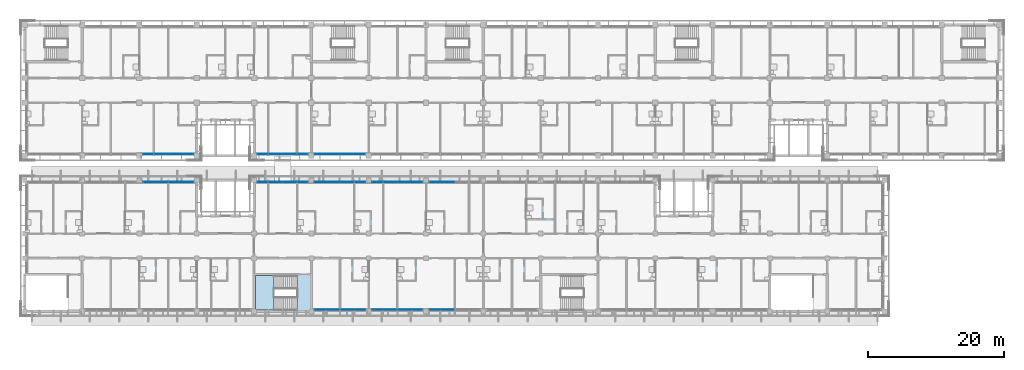
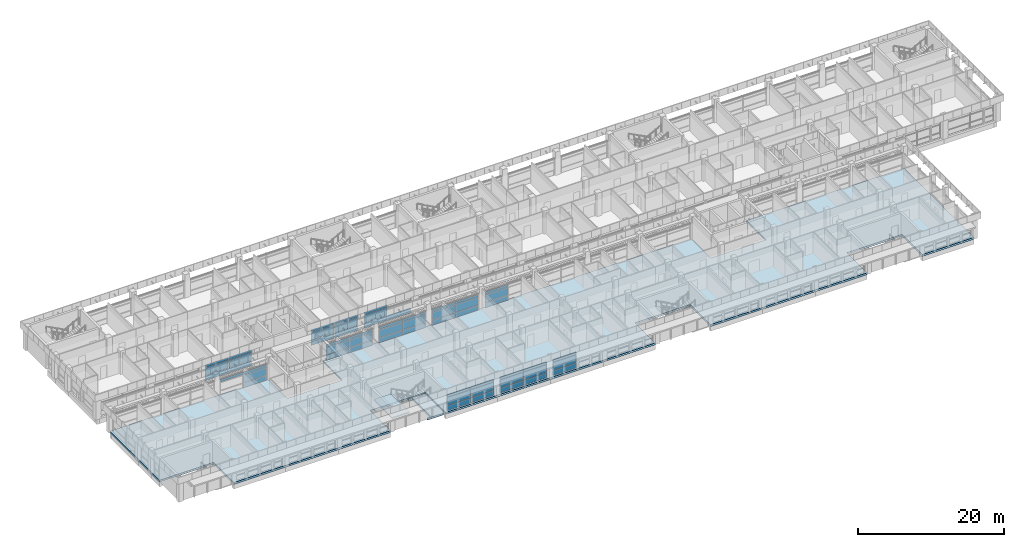
# One storey, part 21 of 71: 56 plates, 3 slabs, 12 elements without a shape of their own.
"""IFC4 building model written with IfcOpenShell, lengths in metres."""

from ifc_helpers import new_model, si_unit, direction, frame, origin, origin_2d, place, context, subcontext, project, spatial, polyline, rectangle, outline, extrude, material, layer, layer_set, type_object, element, aggregate, save


model = new_model("IFC4")

# Units and contexts
model_context = context("Model", 3, precision=1e-05, world=origin(), true_north=direction((0.0, 1.0)))
body_context = subcontext(model_context, "Body", "Model", "MODEL_VIEW")
ifc_project = project(units=[si_unit("LENGTHUNIT", "METRE"), si_unit("AREAUNIT", "SQUARE_METRE"), si_unit("VOLUMEUNIT", "CUBIC_METRE"), si_unit("PLANEANGLEUNIT", "RADIAN"), si_unit("MASSUNIT", "GRAM", prefix="KILO")], contexts=[model_context])

# Site, building, storey
site_placement = place(None, origin())
site = spatial("IfcSite", under=ifc_project, at=site_placement, CompositionType="ELEMENT")
building_placement = place(site_placement, origin())
building = spatial("IfcBuilding", under=site, at=building_placement, Name="Bougainvillea Quay General Hospital", CompositionType="ELEMENT")
storey_placement = place(building_placement, frame((0.0, 0.0, 24.89990234375)))
storey = spatial("IfcBuildingStorey", under=building, at=storey_placement, Name="L05", CompositionType="ELEMENT", Elevation=24.89990234375)

# Curtain wall, plates
ifc_material_1 = material(Name="Aluminium curtain wall system, powder-coated glazed", Category="aluminium")
curtain_wall_type = type_object("IfcCurtainWallType", Name="Unitised curtain wall CW-3730", PredefinedType="NOTDEFINED", material=ifc_material_1)
curtain_wall_1_placement = place(storey_placement, origin())
curtain_wall_1 = element("IfcCurtainWall", 1, at=curtain_wall_1_placement, inside=storey, type_object=curtain_wall_type, Name="CW-4200 02", PredefinedType="NOTDEFINED")
ifc_material_2 = material(Name="Insulated aluminium spandrel panel, white", Category="aluminium")
ifc_layer_1 = layer(ifc_material_2, 0.028076171875)
ifc_layer_set_1 = layer_set([ifc_layer_1], Name="Insulated aluminium spandrel panel, white")
plate_type_1 = type_object("IfcPlateType", Name="Insulated spandrel panel white 28", PredefinedType="CURTAIN_PANEL", material=ifc_layer_set_1)
plate_1_placement = place(storey_placement, frame((61.14990234375, 140.64990234375, 0.06005859375), z_axis=(0.0, 0.0, 1.0), x_axis=(1.0, 0.0, 0.0)))
plate_1 = element("IfcPlate", 2, at=plate_1_placement, type_object=plate_type_1, Name="CW-4200 spandrel panel 1.1", PredefinedType="CURTAIN_PANEL", context=body_context, shape_type="SweptSolid", body=[
    extrude(rectangle(XDim=3.639892578125, YDim=0.028076171875, at=origin_2d()), origin(), (0.0, 0.0, 1.0), 0.81005859375),
])
plate_2_placement = place(storey_placement, frame((61.14990234375, 140.64990234375, 2.2802734375), z_axis=(0.0, 0.0, 1.0), x_axis=(1.0, 0.0, 0.0)))
plate_2 = element("IfcPlate", 3, at=plate_2_placement, type_object=plate_type_1, Name="CW-4200 spandrel panel 1.3", PredefinedType="CURTAIN_PANEL", context=body_context, shape_type="SweptSolid", body=[
    extrude(rectangle(XDim=3.639892578125, YDim=0.028076171875, at=origin_2d()), origin(), (0.0, 0.0, 1.0), 0.409912109375),
])
plate_3_placement = place(storey_placement, frame((64.85009765625, 140.64990234375, 0.06005859375), z_axis=(0.0, 0.0, 1.0), x_axis=(1.0, 0.0, 0.0)))
plate_3 = element("IfcPlate", 4, at=plate_3_placement, type_object=plate_type_1, Name="CW-4200 spandrel panel 2.1", PredefinedType="CURTAIN_PANEL", context=body_context, shape_type="SweptSolid", body=[
    extrude(rectangle(XDim=3.639892578125, YDim=0.028076171875, at=origin_2d()), origin(), (0.0, 0.0, 1.0), 0.81005859375),
])
plate_4_placement = place(storey_placement, frame((64.85009765625, 140.64990234375, 2.2802734375), z_axis=(0.0, 0.0, 1.0), x_axis=(1.0, 0.0, 0.0)))
plate_4 = element("IfcPlate", 5, at=plate_4_placement, type_object=plate_type_1, Name="CW-4200 spandrel panel 2.3", PredefinedType="CURTAIN_PANEL", context=body_context, shape_type="SweptSolid", body=[
    extrude(rectangle(XDim=3.639892578125, YDim=0.028076171875, at=origin_2d()), origin(), (0.0, 0.0, 1.0), 0.409912109375),
])

curtain_wall_2_placement = place(storey_placement, origin())
curtain_wall_2 = element("IfcCurtainWall", 6, at=curtain_wall_2_placement, inside=storey, type_object=curtain_wall_type, Name="CW-4200 00", PredefinedType="NOTDEFINED")
plate_5_placement = place(storey_placement, frame((77.949951171875, 140.64990234375, 0.06005859375), z_axis=(0.0, 0.0, 1.0), x_axis=(1.0, 0.0, 0.0)))
plate_5 = element("IfcPlate", 7, at=plate_5_placement, type_object=plate_type_1, Name="CW-4200 spandrel panel 1.1", PredefinedType="CURTAIN_PANEL", context=body_context, shape_type="SweptSolid", body=[
    extrude(rectangle(XDim=3.639892578125, YDim=0.028076171875, at=origin_2d()), origin(), (0.0, 0.0, 1.0), 0.81005859375),
])
plate_6_placement = place(storey_placement, frame((77.949951171875, 140.64990234375, 2.2802734375), z_axis=(0.0, 0.0, 1.0), x_axis=(1.0, 0.0, 0.0)))
plate_6 = element("IfcPlate", 8, at=plate_6_placement, type_object=plate_type_1, Name="CW-4200 spandrel panel 1.3", PredefinedType="CURTAIN_PANEL", context=body_context, shape_type="SweptSolid", body=[
    extrude(rectangle(XDim=3.639892578125, YDim=0.028076171875, at=origin_2d()), origin(), (0.0, 0.0, 1.0), 0.409912109375),
])
plate_7_placement = place(storey_placement, frame((81.64990234375, 140.64990234375, 0.06005859375), z_axis=(0.0, 0.0, 1.0), x_axis=(1.0, 0.0, 0.0)))
plate_7 = element("IfcPlate", 9, at=plate_7_placement, type_object=plate_type_1, Name="CW-4200 spandrel panel 2.1", PredefinedType="CURTAIN_PANEL", context=body_context, shape_type="SweptSolid", body=[
    extrude(rectangle(XDim=3.639892578125, YDim=0.028076171875, at=origin_2d()), origin(), (0.0, 0.0, 1.0), 0.81005859375),
])
plate_8_placement = place(storey_placement, frame((81.64990234375, 140.64990234375, 2.2802734375), z_axis=(0.0, 0.0, 1.0), x_axis=(1.0, 0.0, 0.0)))
plate_8 = element("IfcPlate", 10, at=plate_8_placement, type_object=plate_type_1, Name="CW-4200 spandrel panel 2.3", PredefinedType="CURTAIN_PANEL", context=body_context, shape_type="SweptSolid", body=[
    extrude(rectangle(XDim=3.639892578125, YDim=0.028076171875, at=origin_2d()), origin(), (0.0, 0.0, 1.0), 0.409912109375),
])

curtain_wall_3_placement = place(storey_placement, origin())
curtain_wall_3 = element("IfcCurtainWall", 11, at=curtain_wall_3_placement, inside=storey, type_object=curtain_wall_type, Name="CW-4200 01", PredefinedType="NOTDEFINED")
plate_9_placement = place(storey_placement, frame((86.35009765625, 140.64990234375, 0.06005859375), z_axis=(0.0, 0.0, 1.0), x_axis=(1.0, 0.0, 0.0)))
plate_9 = element("IfcPlate", 12, at=plate_9_placement, type_object=plate_type_1, Name="CW-4200 spandrel panel 1.1", PredefinedType="CURTAIN_PANEL", context=body_context, shape_type="SweptSolid", body=[
    extrude(rectangle(XDim=3.639892578125, YDim=0.028076171875, at=origin_2d()), origin(), (0.0, 0.0, 1.0), 0.81005859375),
])
plate_10_placement = place(storey_placement, frame((86.35009765625, 140.64990234375, 2.2802734375), z_axis=(0.0, 0.0, 1.0), x_axis=(1.0, 0.0, 0.0)))
plate_10 = element("IfcPlate", 13, at=plate_10_placement, type_object=plate_type_1, Name="CW-4200 spandrel panel 1.3", PredefinedType="CURTAIN_PANEL", context=body_context, shape_type="SweptSolid", body=[
    extrude(rectangle(XDim=3.639892578125, YDim=0.028076171875, at=origin_2d()), origin(), (0.0, 0.0, 1.0), 0.409912109375),
])
plate_11_placement = place(storey_placement, frame((90.050048828125, 140.64990234375, 0.06005859375), z_axis=(0.0, 0.0, 1.0), x_axis=(1.0, 0.0, 0.0)))
plate_11 = element("IfcPlate", 14, at=plate_11_placement, type_object=plate_type_1, Name="CW-4200 spandrel panel 2.1", PredefinedType="CURTAIN_PANEL", context=body_context, shape_type="SweptSolid", body=[
    extrude(rectangle(XDim=3.639892578125, YDim=0.028076171875, at=origin_2d()), origin(), (0.0, 0.0, 1.0), 0.81005859375),
])

curtain_wall_4_placement = place(storey_placement, origin())
curtain_wall_4 = element("IfcCurtainWall", 15, at=curtain_wall_4_placement, inside=storey, type_object=curtain_wall_type, Name="CW-4200 03", PredefinedType="NOTDEFINED")
plate_12_placement = place(storey_placement, frame((86.35009765625, 117.85009765625, 0.06005859375), z_axis=(0.0, 0.0, 1.0), x_axis=(1.0, 0.0, 0.0)))
plate_12 = element("IfcPlate", 16, at=plate_12_placement, type_object=plate_type_1, Name="CW-4200 spandrel panel 1.1", PredefinedType="CURTAIN_PANEL", context=body_context, shape_type="SweptSolid", body=[
    extrude(rectangle(XDim=3.639892578125, YDim=0.028076171875, at=origin_2d()), origin(), (0.0, 0.0, 1.0), 0.81005859375),
])
plate_13_placement = place(storey_placement, frame((86.35009765625, 117.85009765625, 2.2802734375), z_axis=(0.0, 0.0, 1.0), x_axis=(1.0, 0.0, 0.0)))
plate_13 = element("IfcPlate", 17, at=plate_13_placement, type_object=plate_type_1, Name="CW-4200 spandrel panel 1.3", PredefinedType="CURTAIN_PANEL", context=body_context, shape_type="SweptSolid", body=[
    extrude(rectangle(XDim=3.639892578125, YDim=0.028076171875, at=origin_2d()), origin(), (0.0, 0.0, 1.0), 0.409912109375),
])
plate_14_placement = place(storey_placement, frame((90.050048828125, 117.85009765625, 0.06005859375), z_axis=(0.0, 0.0, 1.0), x_axis=(1.0, 0.0, 0.0)))
plate_14 = element("IfcPlate", 18, at=plate_14_placement, type_object=plate_type_1, Name="CW-4200 spandrel panel 2.1", PredefinedType="CURTAIN_PANEL", context=body_context, shape_type="SweptSolid", body=[
    extrude(rectangle(XDim=3.639892578125, YDim=0.028076171875, at=origin_2d()), origin(), (0.0, 0.0, 1.0), 0.81005859375),
])
plate_15_placement = place(storey_placement, frame((90.050048828125, 117.85009765625, 2.2802734375), z_axis=(0.0, 0.0, 1.0), x_axis=(1.0, 0.0, 0.0)))
plate_15 = element("IfcPlate", 19, at=plate_15_placement, type_object=plate_type_1, Name="CW-4200 spandrel panel 2.3", PredefinedType="CURTAIN_PANEL", context=body_context, shape_type="SweptSolid", body=[
    extrude(rectangle(XDim=3.639892578125, YDim=0.028076171875, at=origin_2d()), origin(), (0.0, 0.0, 1.0), 0.409912109375),
])

curtain_wall_5_placement = place(storey_placement, origin())
curtain_wall_5 = element("IfcCurtainWall", 20, at=curtain_wall_5_placement, inside=storey, type_object=curtain_wall_type, Name="CW-4200 04", PredefinedType="NOTDEFINED")
plate_16_placement = place(storey_placement, frame((94.75, 117.85009765625, 0.06005859375), z_axis=(0.0, 0.0, 1.0), x_axis=(1.0, 0.0, 0.0)))
plate_16 = element("IfcPlate", 21, at=plate_16_placement, type_object=plate_type_1, Name="CW-4200 spandrel panel 1.1", PredefinedType="CURTAIN_PANEL", context=body_context, shape_type="SweptSolid", body=[
    extrude(rectangle(XDim=3.639892578125, YDim=0.028076171875, at=origin_2d()), origin(), (0.0, 0.0, 1.0), 0.81005859375),
])
plate_17_placement = place(storey_placement, frame((94.75, 117.85009765625, 2.2802734375), z_axis=(0.0, 0.0, 1.0), x_axis=(1.0, 0.0, 0.0)))
plate_17 = element("IfcPlate", 22, at=plate_17_placement, type_object=plate_type_1, Name="CW-4200 spandrel panel 1.3", PredefinedType="CURTAIN_PANEL", context=body_context, shape_type="SweptSolid", body=[
    extrude(rectangle(XDim=3.639892578125, YDim=0.028076171875, at=origin_2d()), origin(), (0.0, 0.0, 1.0), 0.409912109375),
])
plate_18_placement = place(storey_placement, frame((98.449951171875, 117.85009765625, 0.06005859375), z_axis=(0.0, 0.0, 1.0), x_axis=(1.0, 0.0, 0.0)))
plate_18 = element("IfcPlate", 23, at=plate_18_placement, type_object=plate_type_1, Name="CW-4200 spandrel panel 2.1", PredefinedType="CURTAIN_PANEL", context=body_context, shape_type="SweptSolid", body=[
    extrude(rectangle(XDim=3.639892578125, YDim=0.028076171875, at=origin_2d()), origin(), (0.0, 0.0, 1.0), 0.81005859375),
])
plate_19_placement = place(storey_placement, frame((98.449951171875, 117.85009765625, 2.2802734375), z_axis=(0.0, 0.0, 1.0), x_axis=(1.0, 0.0, 0.0)))
plate_19 = element("IfcPlate", 24, at=plate_19_placement, type_object=plate_type_1, Name="CW-4200 spandrel panel 2.3", PredefinedType="CURTAIN_PANEL", context=body_context, shape_type="SweptSolid", body=[
    extrude(rectangle(XDim=3.639892578125, YDim=0.028076171875, at=origin_2d()), origin(), (0.0, 0.0, 1.0), 0.409912109375),
])

curtain_wall_6_placement = place(storey_placement, origin())
curtain_wall_6 = element("IfcCurtainWall", 25, at=curtain_wall_6_placement, inside=storey, type_object=curtain_wall_type, Name="CW-4200 05", PredefinedType="NOTDEFINED")
plate_20_placement = place(storey_placement, frame((103.14990234375, 117.85009765625, 0.06005859375), z_axis=(0.0, 0.0, 1.0), x_axis=(1.0, 0.0, 0.0)))
plate_20 = element("IfcPlate", 26, at=plate_20_placement, type_object=plate_type_1, Name="CW-4200 spandrel panel 1.1", PredefinedType="CURTAIN_PANEL", context=body_context, shape_type="SweptSolid", body=[
    extrude(rectangle(XDim=3.639892578125, YDim=0.028076171875, at=origin_2d()), origin(), (0.0, 0.0, 1.0), 0.81005859375),
])
plate_21_placement = place(storey_placement, frame((103.14990234375, 117.85009765625, 2.2802734375), z_axis=(0.0, 0.0, 1.0), x_axis=(1.0, 0.0, 0.0)))
plate_21 = element("IfcPlate", 27, at=plate_21_placement, type_object=plate_type_1, Name="CW-4200 spandrel panel 1.3", PredefinedType="CURTAIN_PANEL", context=body_context, shape_type="SweptSolid", body=[
    extrude(rectangle(XDim=3.639892578125, YDim=0.028076171875, at=origin_2d()), origin(), (0.0, 0.0, 1.0), 0.409912109375),
])

curtain_wall_7_placement = place(storey_placement, origin())
curtain_wall_7 = element("IfcCurtainWall", 28, at=curtain_wall_7_placement, inside=storey, type_object=curtain_wall_type, Name="CW-4200 03", PredefinedType="NOTDEFINED")
plate_22_placement = place(storey_placement, frame((103.14990234375, 136.550048828125, 0.06005859375), z_axis=(0.0, 0.0, 1.0), x_axis=(-1.0, 0.0, 0.0)))
plate_22 = element("IfcPlate", 29, at=plate_22_placement, type_object=plate_type_1, Name="CW-4200 spandrel panel 2.1", PredefinedType="CURTAIN_PANEL", context=body_context, shape_type="SweptSolid", body=[
    extrude(rectangle(XDim=3.639892578125, YDim=0.028076171875, at=origin_2d()), origin(), (0.0, 0.0, 1.0), 0.81005859375),
])
plate_23_placement = place(storey_placement, frame((103.14990234375, 136.550048828125, 2.2802734375), z_axis=(0.0, 0.0, 1.0), x_axis=(-1.0, 0.0, 0.0)))
plate_23 = element("IfcPlate", 30, at=plate_23_placement, type_object=plate_type_1, Name="CW-4200 spandrel panel 2.3", PredefinedType="CURTAIN_PANEL", context=body_context, shape_type="SweptSolid", body=[
    extrude(rectangle(XDim=3.639892578125, YDim=0.028076171875, at=origin_2d()), origin(), (0.0, 0.0, 1.0), 0.409912109375),
])

curtain_wall_8_placement = place(storey_placement, origin())
curtain_wall_8 = element("IfcCurtainWall", 31, at=curtain_wall_8_placement, inside=storey, type_object=curtain_wall_type, Name="CW-4200 04", PredefinedType="NOTDEFINED")
plate_24_placement = place(storey_placement, frame((98.449951171875, 136.550048828125, 0.06005859375), z_axis=(0.0, 0.0, 1.0), x_axis=(-1.0, 0.0, 0.0)))
plate_24 = element("IfcPlate", 32, at=plate_24_placement, type_object=plate_type_1, Name="CW-4200 spandrel panel 1.1", PredefinedType="CURTAIN_PANEL", context=body_context, shape_type="SweptSolid", body=[
    extrude(rectangle(XDim=3.639892578125, YDim=0.028076171875, at=origin_2d()), origin(), (0.0, 0.0, 1.0), 0.81005859375),
])
plate_25_placement = place(storey_placement, frame((98.449951171875, 136.550048828125, 2.2802734375), z_axis=(0.0, 0.0, 1.0), x_axis=(-1.0, 0.0, 0.0)))
plate_25 = element("IfcPlate", 33, at=plate_25_placement, type_object=plate_type_1, Name="CW-4200 spandrel panel 1.3", PredefinedType="CURTAIN_PANEL", context=body_context, shape_type="SweptSolid", body=[
    extrude(rectangle(XDim=3.639892578125, YDim=0.028076171875, at=origin_2d()), origin(), (0.0, 0.0, 1.0), 0.409912109375),
])
plate_26_placement = place(storey_placement, frame((94.75, 136.550048828125, 0.06005859375), z_axis=(0.0, 0.0, 1.0), x_axis=(-1.0, 0.0, 0.0)))
plate_26 = element("IfcPlate", 34, at=plate_26_placement, type_object=plate_type_1, Name="CW-4200 spandrel panel 2.1", PredefinedType="CURTAIN_PANEL", context=body_context, shape_type="SweptSolid", body=[
    extrude(rectangle(XDim=3.639892578125, YDim=0.028076171875, at=origin_2d()), origin(), (0.0, 0.0, 1.0), 0.81005859375),
])
plate_27_placement = place(storey_placement, frame((94.75, 136.550048828125, 2.2802734375), z_axis=(0.0, 0.0, 1.0), x_axis=(-1.0, 0.0, 0.0)))
plate_27 = element("IfcPlate", 35, at=plate_27_placement, type_object=plate_type_1, Name="CW-4200 spandrel panel 2.3", PredefinedType="CURTAIN_PANEL", context=body_context, shape_type="SweptSolid", body=[
    extrude(rectangle(XDim=3.639892578125, YDim=0.028076171875, at=origin_2d()), origin(), (0.0, 0.0, 1.0), 0.409912109375),
])

curtain_wall_9_placement = place(storey_placement, origin())
curtain_wall_9 = element("IfcCurtainWall", 36, at=curtain_wall_9_placement, inside=storey, type_object=curtain_wall_type, Name="CW-4200 05", PredefinedType="NOTDEFINED")
plate_28_placement = place(storey_placement, frame((90.050048828125, 136.550048828125, 0.06005859375), z_axis=(0.0, 0.0, 1.0), x_axis=(-1.0, 0.0, 0.0)))
plate_28 = element("IfcPlate", 37, at=plate_28_placement, type_object=plate_type_1, Name="CW-4200 spandrel panel 1.1", PredefinedType="CURTAIN_PANEL", context=body_context, shape_type="SweptSolid", body=[
    extrude(rectangle(XDim=3.639892578125, YDim=0.028076171875, at=origin_2d()), origin(), (0.0, 0.0, 1.0), 0.81005859375),
])
plate_29_placement = place(storey_placement, frame((90.050048828125, 136.550048828125, 2.2802734375), z_axis=(0.0, 0.0, 1.0), x_axis=(-1.0, 0.0, 0.0)))
plate_29 = element("IfcPlate", 38, at=plate_29_placement, type_object=plate_type_1, Name="CW-4200 spandrel panel 1.3", PredefinedType="CURTAIN_PANEL", context=body_context, shape_type="SweptSolid", body=[
    extrude(rectangle(XDim=3.639892578125, YDim=0.028076171875, at=origin_2d()), origin(), (0.0, 0.0, 1.0), 0.409912109375),
])
plate_30_placement = place(storey_placement, frame((86.35009765625, 136.550048828125, 0.06005859375), z_axis=(0.0, 0.0, 1.0), x_axis=(-1.0, 0.0, 0.0)))
plate_30 = element("IfcPlate", 39, at=plate_30_placement, type_object=plate_type_1, Name="CW-4200 spandrel panel 2.1", PredefinedType="CURTAIN_PANEL", context=body_context, shape_type="SweptSolid", body=[
    extrude(rectangle(XDim=3.639892578125, YDim=0.028076171875, at=origin_2d()), origin(), (0.0, 0.0, 1.0), 0.81005859375),
])
plate_31_placement = place(storey_placement, frame((86.35009765625, 136.550048828125, 2.2802734375), z_axis=(0.0, 0.0, 1.0), x_axis=(-1.0, 0.0, 0.0)))
plate_31 = element("IfcPlate", 40, at=plate_31_placement, type_object=plate_type_1, Name="CW-4200 spandrel panel 2.3", PredefinedType="CURTAIN_PANEL", context=body_context, shape_type="SweptSolid", body=[
    extrude(rectangle(XDim=3.639892578125, YDim=0.028076171875, at=origin_2d()), origin(), (0.0, 0.0, 1.0), 0.409912109375),
])

curtain_wall_10_placement = place(storey_placement, origin())
curtain_wall_10 = element("IfcCurtainWall", 41, at=curtain_wall_10_placement, inside=storey, type_object=curtain_wall_type, Name="CW-4200 06", PredefinedType="NOTDEFINED")
plate_32_placement = place(storey_placement, frame((81.64990234375, 136.550048828125, 0.06005859375), z_axis=(0.0, 0.0, 1.0), x_axis=(-1.0, 0.0, 0.0)))
plate_32 = element("IfcPlate", 42, at=plate_32_placement, type_object=plate_type_1, Name="CW-4200 spandrel panel 1.1", PredefinedType="CURTAIN_PANEL", context=body_context, shape_type="SweptSolid", body=[
    extrude(rectangle(XDim=3.639892578125, YDim=0.028076171875, at=origin_2d()), origin(), (0.0, 0.0, 1.0), 0.81005859375),
])
plate_33_placement = place(storey_placement, frame((81.64990234375, 136.550048828125, 2.2802734375), z_axis=(0.0, 0.0, 1.0), x_axis=(-1.0, 0.0, 0.0)))
plate_33 = element("IfcPlate", 43, at=plate_33_placement, type_object=plate_type_1, Name="CW-4200 spandrel panel 1.3", PredefinedType="CURTAIN_PANEL", context=body_context, shape_type="SweptSolid", body=[
    extrude(rectangle(XDim=3.639892578125, YDim=0.028076171875, at=origin_2d()), origin(), (0.0, 0.0, 1.0), 0.409912109375),
])
plate_34_placement = place(storey_placement, frame((77.949951171875, 136.550048828125, 0.06005859375), z_axis=(0.0, 0.0, 1.0), x_axis=(-1.0, 0.0, 0.0)))
plate_34 = element("IfcPlate", 44, at=plate_34_placement, type_object=plate_type_1, Name="CW-4200 spandrel panel 2.1", PredefinedType="CURTAIN_PANEL", context=body_context, shape_type="SweptSolid", body=[
    extrude(rectangle(XDim=3.639892578125, YDim=0.028076171875, at=origin_2d()), origin(), (0.0, 0.0, 1.0), 0.81005859375),
])
plate_35_placement = place(storey_placement, frame((77.949951171875, 136.550048828125, 2.2802734375), z_axis=(0.0, 0.0, 1.0), x_axis=(-1.0, 0.0, 0.0)))
plate_35 = element("IfcPlate", 45, at=plate_35_placement, type_object=plate_type_1, Name="CW-4200 spandrel panel 2.3", PredefinedType="CURTAIN_PANEL", context=body_context, shape_type="SweptSolid", body=[
    extrude(rectangle(XDim=3.639892578125, YDim=0.028076171875, at=origin_2d()), origin(), (0.0, 0.0, 1.0), 0.409912109375),
])

curtain_wall_11_placement = place(storey_placement, origin())
curtain_wall_11 = element("IfcCurtainWall", 46, at=curtain_wall_11_placement, inside=storey, type_object=curtain_wall_type, Name="CW-4200 00", PredefinedType="NOTDEFINED")
plate_36_placement = place(storey_placement, frame((64.85009765625, 136.550048828125, 0.06005859375), z_axis=(0.0, 0.0, 1.0), x_axis=(-1.0, 0.0, 0.0)))
plate_36 = element("IfcPlate", 47, at=plate_36_placement, type_object=plate_type_1, Name="CW-4200 spandrel panel 1.1", PredefinedType="CURTAIN_PANEL", context=body_context, shape_type="SweptSolid", body=[
    extrude(rectangle(XDim=3.639892578125, YDim=0.028076171875, at=origin_2d()), origin(), (0.0, 0.0, 1.0), 0.81005859375),
])
plate_37_placement = place(storey_placement, frame((64.85009765625, 136.550048828125, 2.2802734375), z_axis=(0.0, 0.0, 1.0), x_axis=(-1.0, 0.0, 0.0)))
plate_37 = element("IfcPlate", 48, at=plate_37_placement, type_object=plate_type_1, Name="CW-4200 spandrel panel 1.3", PredefinedType="CURTAIN_PANEL", context=body_context, shape_type="SweptSolid", body=[
    extrude(rectangle(XDim=3.639892578125, YDim=0.028076171875, at=origin_2d()), origin(), (0.0, 0.0, 1.0), 0.409912109375),
])
plate_38_placement = place(storey_placement, frame((61.14990234375, 136.550048828125, 2.2802734375), z_axis=(0.0, 0.0, 1.0), x_axis=(-1.0, 0.0, 0.0)))
plate_38 = element("IfcPlate", 49, at=plate_38_placement, type_object=plate_type_1, Name="CW-4200 spandrel panel 2.3", PredefinedType="CURTAIN_PANEL", context=body_context, shape_type="SweptSolid", body=[
    extrude(rectangle(XDim=3.639892578125, YDim=0.028076171875, at=origin_2d()), origin(), (0.0, 0.0, 1.0), 0.409912109375),
])

# Plate
ifc_material_3 = material(Name="Low-e laminated glass, solar control", Category="glass")
ifc_layer_2 = layer(ifc_material_3, 0.028076171875)
ifc_layer_set_2 = layer_set([ifc_layer_2], Name="Low-e laminated glass, solar control")
plate_type_2 = type_object("IfcPlateType", Name="Low-e laminated vision glass 28", PredefinedType="CURTAIN_PANEL", material=ifc_layer_set_2)
plate_39_placement = place(storey_placement, frame((61.14990234375, 140.64990234375, 0.93017578125), z_axis=(0.0, 0.0, 1.0), x_axis=(1.0, 0.0, 0.0)))
plate_39 = element("IfcPlate", 50, at=plate_39_placement, type_object=plate_type_2, Name="CW-4200 vision glass panel 1.2", PredefinedType="CURTAIN_PANEL", context=body_context, shape_type="SweptSolid", body=[
    extrude(rectangle(XDim=3.639892578125, YDim=0.028076171875, at=origin_2d()), origin(), (0.0, 0.0, 1.0), 1.2900390625),
])

plate_40_placement = place(storey_placement, frame((64.85009765625, 140.64990234375, 0.93017578125), z_axis=(0.0, 0.0, 1.0), x_axis=(1.0, 0.0, 0.0)))
plate_40 = element("IfcPlate", 51, at=plate_40_placement, type_object=plate_type_2, Name="CW-4200 vision glass panel 2.2", PredefinedType="CURTAIN_PANEL", context=body_context, shape_type="SweptSolid", body=[
    extrude(rectangle(XDim=3.639892578125, YDim=0.028076171875, at=origin_2d()), origin(), (0.0, 0.0, 1.0), 1.2900390625),
])

aggregate(curtain_wall_1, [plate_1, plate_39, plate_2, plate_3, plate_40, plate_4])

plate_41_placement = place(storey_placement, frame((77.949951171875, 140.64990234375, 0.93017578125), z_axis=(0.0, 0.0, 1.0), x_axis=(1.0, 0.0, 0.0)))
plate_41 = element("IfcPlate", 52, at=plate_41_placement, type_object=plate_type_2, Name="CW-4200 vision glass panel 1.2", PredefinedType="CURTAIN_PANEL", context=body_context, shape_type="SweptSolid", body=[
    extrude(rectangle(XDim=3.639892578125, YDim=0.028076171875, at=origin_2d()), origin(), (0.0, 0.0, 1.0), 1.2900390625),
])

plate_42_placement = place(storey_placement, frame((81.64990234375, 140.64990234375, 0.93017578125), z_axis=(0.0, 0.0, 1.0), x_axis=(1.0, 0.0, 0.0)))
plate_42 = element("IfcPlate", 53, at=plate_42_placement, type_object=plate_type_2, Name="CW-4200 vision glass panel 2.2", PredefinedType="CURTAIN_PANEL", context=body_context, shape_type="SweptSolid", body=[
    extrude(rectangle(XDim=3.639892578125, YDim=0.028076171875, at=origin_2d()), origin(), (0.0, 0.0, 1.0), 1.2900390625),
])

aggregate(curtain_wall_2, [plate_5, plate_41, plate_6, plate_7, plate_42, plate_8])

plate_43_placement = place(storey_placement, frame((86.35009765625, 140.64990234375, 0.93017578125), z_axis=(0.0, 0.0, 1.0), x_axis=(1.0, 0.0, 0.0)))
plate_43 = element("IfcPlate", 54, at=plate_43_placement, type_object=plate_type_2, Name="CW-4200 vision glass panel 1.2", PredefinedType="CURTAIN_PANEL", context=body_context, shape_type="SweptSolid", body=[
    extrude(rectangle(XDim=3.639892578125, YDim=0.028076171875, at=origin_2d()), origin(), (0.0, 0.0, 1.0), 1.2900390625),
])

aggregate(curtain_wall_3, [plate_9, plate_43, plate_10, plate_11])

plate_44_placement = place(storey_placement, frame((86.35009765625, 117.85009765625, 0.93017578125), z_axis=(0.0, 0.0, 1.0), x_axis=(1.0, 0.0, 0.0)))
plate_44 = element("IfcPlate", 55, at=plate_44_placement, type_object=plate_type_2, Name="CW-4200 vision glass panel 1.2", PredefinedType="CURTAIN_PANEL", context=body_context, shape_type="SweptSolid", body=[
    extrude(rectangle(XDim=3.639892578125, YDim=0.028076171875, at=origin_2d()), origin(), (0.0, 0.0, 1.0), 1.2900390625),
])

plate_45_placement = place(storey_placement, frame((90.050048828125, 117.85009765625, 0.93017578125), z_axis=(0.0, 0.0, 1.0), x_axis=(1.0, 0.0, 0.0)))
plate_45 = element("IfcPlate", 56, at=plate_45_placement, type_object=plate_type_2, Name="CW-4200 vision glass panel 2.2", PredefinedType="CURTAIN_PANEL", context=body_context, shape_type="SweptSolid", body=[
    extrude(rectangle(XDim=3.639892578125, YDim=0.028076171875, at=origin_2d()), origin(), (0.0, 0.0, 1.0), 1.2900390625),
])

aggregate(curtain_wall_4, [plate_12, plate_44, plate_13, plate_14, plate_45, plate_15])

plate_46_placement = place(storey_placement, frame((94.75, 117.85009765625, 0.93017578125), z_axis=(0.0, 0.0, 1.0), x_axis=(1.0, 0.0, 0.0)))
plate_46 = element("IfcPlate", 57, at=plate_46_placement, type_object=plate_type_2, Name="CW-4200 vision glass panel 1.2", PredefinedType="CURTAIN_PANEL", context=body_context, shape_type="SweptSolid", body=[
    extrude(rectangle(XDim=3.639892578125, YDim=0.028076171875, at=origin_2d()), origin(), (0.0, 0.0, 1.0), 1.2900390625),
])

plate_47_placement = place(storey_placement, frame((98.449951171875, 117.85009765625, 0.93017578125), z_axis=(0.0, 0.0, 1.0), x_axis=(1.0, 0.0, 0.0)))
plate_47 = element("IfcPlate", 58, at=plate_47_placement, type_object=plate_type_2, Name="CW-4200 vision glass panel 2.2", PredefinedType="CURTAIN_PANEL", context=body_context, shape_type="SweptSolid", body=[
    extrude(rectangle(XDim=3.639892578125, YDim=0.028076171875, at=origin_2d()), origin(), (0.0, 0.0, 1.0), 1.2900390625),
])

aggregate(curtain_wall_5, [plate_16, plate_46, plate_17, plate_18, plate_47, plate_19])

plate_48_placement = place(storey_placement, frame((103.14990234375, 117.85009765625, 0.93017578125), z_axis=(0.0, 0.0, 1.0), x_axis=(1.0, 0.0, 0.0)))
plate_48 = element("IfcPlate", 59, at=plate_48_placement, type_object=plate_type_2, Name="CW-4200 vision glass panel 1.2", PredefinedType="CURTAIN_PANEL", context=body_context, shape_type="SweptSolid", body=[
    extrude(rectangle(XDim=3.639892578125, YDim=0.028076171875, at=origin_2d()), origin(), (0.0, 0.0, 1.0), 1.2900390625),
])

aggregate(curtain_wall_6, [plate_20, plate_48, plate_21])

plate_49_placement = place(storey_placement, frame((103.14990234375, 136.550048828125, 0.93017578125), z_axis=(0.0, 0.0, 1.0), x_axis=(-1.0, 0.0, 0.0)))
plate_49 = element("IfcPlate", 60, at=plate_49_placement, type_object=plate_type_2, Name="CW-4200 vision glass panel 2.2", PredefinedType="CURTAIN_PANEL", context=body_context, shape_type="SweptSolid", body=[
    extrude(rectangle(XDim=3.639892578125, YDim=0.028076171875, at=origin_2d()), origin(), (0.0, 0.0, 1.0), 1.2900390625),
])

aggregate(curtain_wall_7, [plate_22, plate_49, plate_23])

plate_50_placement = place(storey_placement, frame((98.449951171875, 136.550048828125, 0.93017578125), z_axis=(0.0, 0.0, 1.0), x_axis=(-1.0, 0.0, 0.0)))
plate_50 = element("IfcPlate", 61, at=plate_50_placement, type_object=plate_type_2, Name="CW-4200 vision glass panel 1.2", PredefinedType="CURTAIN_PANEL", context=body_context, shape_type="SweptSolid", body=[
    extrude(rectangle(XDim=3.639892578125, YDim=0.028076171875, at=origin_2d()), origin(), (0.0, 0.0, 1.0), 1.2900390625),
])

plate_51_placement = place(storey_placement, frame((94.75, 136.550048828125, 0.93017578125), z_axis=(0.0, 0.0, 1.0), x_axis=(-1.0, 0.0, 0.0)))
plate_51 = element("IfcPlate", 62, at=plate_51_placement, type_object=plate_type_2, Name="CW-4200 vision glass panel 2.2", PredefinedType="CURTAIN_PANEL", context=body_context, shape_type="SweptSolid", body=[
    extrude(rectangle(XDim=3.639892578125, YDim=0.028076171875, at=origin_2d()), origin(), (0.0, 0.0, 1.0), 1.2900390625),
])

aggregate(curtain_wall_8, [plate_24, plate_50, plate_25, plate_26, plate_51, plate_27])

plate_52_placement = place(storey_placement, frame((90.050048828125, 136.550048828125, 0.93017578125), z_axis=(0.0, 0.0, 1.0), x_axis=(-1.0, 0.0, 0.0)))
plate_52 = element("IfcPlate", 63, at=plate_52_placement, type_object=plate_type_2, Name="CW-4200 vision glass panel 1.2", PredefinedType="CURTAIN_PANEL", context=body_context, shape_type="SweptSolid", body=[
    extrude(rectangle(XDim=3.639892578125, YDim=0.028076171875, at=origin_2d()), origin(), (0.0, 0.0, 1.0), 1.2900390625),
])

plate_53_placement = place(storey_placement, frame((86.35009765625, 136.550048828125, 0.93017578125), z_axis=(0.0, 0.0, 1.0), x_axis=(-1.0, 0.0, 0.0)))
plate_53 = element("IfcPlate", 64, at=plate_53_placement, type_object=plate_type_2, Name="CW-4200 vision glass panel 2.2", PredefinedType="CURTAIN_PANEL", context=body_context, shape_type="SweptSolid", body=[
    extrude(rectangle(XDim=3.639892578125, YDim=0.028076171875, at=origin_2d()), origin(), (0.0, 0.0, 1.0), 1.2900390625),
])

aggregate(curtain_wall_9, [plate_28, plate_52, plate_29, plate_30, plate_53, plate_31])

plate_54_placement = place(storey_placement, frame((81.64990234375, 136.550048828125, 0.93017578125), z_axis=(0.0, 0.0, 1.0), x_axis=(-1.0, 0.0, 0.0)))
plate_54 = element("IfcPlate", 65, at=plate_54_placement, type_object=plate_type_2, Name="CW-4200 vision glass panel 1.2", PredefinedType="CURTAIN_PANEL", context=body_context, shape_type="SweptSolid", body=[
    extrude(rectangle(XDim=3.639892578125, YDim=0.028076171875, at=origin_2d()), origin(), (0.0, 0.0, 1.0), 1.2900390625),
])

plate_55_placement = place(storey_placement, frame((77.949951171875, 136.550048828125, 0.93017578125), z_axis=(0.0, 0.0, 1.0), x_axis=(-1.0, 0.0, 0.0)))
plate_55 = element("IfcPlate", 66, at=plate_55_placement, type_object=plate_type_2, Name="CW-4200 vision glass panel 2.2", PredefinedType="CURTAIN_PANEL", context=body_context, shape_type="SweptSolid", body=[
    extrude(rectangle(XDim=3.639892578125, YDim=0.028076171875, at=origin_2d()), origin(), (0.0, 0.0, 1.0), 1.2900390625),
])

aggregate(curtain_wall_10, [plate_32, plate_54, plate_33, plate_34, plate_55, plate_35])

plate_56_placement = place(storey_placement, frame((64.85009765625, 136.550048828125, 0.93017578125), z_axis=(0.0, 0.0, 1.0), x_axis=(-1.0, 0.0, 0.0)))
plate_56 = element("IfcPlate", 67, at=plate_56_placement, type_object=plate_type_2, Name="CW-4200 vision glass panel 1.2", PredefinedType="CURTAIN_PANEL", context=body_context, shape_type="SweptSolid", body=[
    extrude(rectangle(XDim=3.639892578125, YDim=0.028076171875, at=origin_2d()), origin(), (0.0, 0.0, 1.0), 1.2900390625),
])

aggregate(curtain_wall_11, [plate_36, plate_56, plate_37, plate_38])

# Slabs
ifc_material_4 = material(Name="Concrete C35", Category="concrete")
ifc_layer_3 = layer(ifc_material_4, 0.300048828125)
ifc_layer_set_3 = layer_set([ifc_layer_3], Name="Concrete C35")
slab_type_1 = type_object("IfcSlabType", Name="RC FLAT SLAB 300 C35", PredefinedType="FLOOR", material=ifc_layer_set_3)
slab_1_placement = place(storey_placement, frame((0.0, 0.0, -0.2998046875)))
element("IfcSlab", 68, at=slab_1_placement, inside=storey, type_object=slab_type_1, Name="Slab S3 L05", PredefinedType="FLOOR", context=body_context, shape_type="SweptSolid", body=[
    extrude(outline(polyline([(67.02490234375, 136.800048828125), (42.0, 136.800048828125), (42.0, 123.175048828125), (50.22509765625, 123.175048828125), (50.574951171875, 123.175048828125), (50.574951171875, 117.60009765625), (75.425048828125, 117.60009765625), (75.425048828125, 122.824951171875), (75.425048828125, 123.175048828125), (83.824951171875, 123.175048828125), (84.175048828125, 123.175048828125), (84.175048828125, 117.60009765625), (117.425048828125, 117.60009765625), (117.425048828125, 122.824951171875), (117.425048828125, 123.175048828125), (125.824951171875, 123.175048828125), (126.175048828125, 123.175048828125), (126.175048828125, 117.60009765625), (151.02490234375, 117.60009765625), (151.02490234375, 122.824951171875), (151.02490234375, 123.175048828125), (159.425048828125, 123.175048828125), (159.77490234375, 123.175048828125), (159.77490234375, 117.60009765625), (168.0, 117.60009765625), (168.0, 136.800048828125), (142.97509765625, 136.800048828125), (142.97509765625, 131.425048828125), (142.625, 131.425048828125), (140.0, 131.425048828125), (137.199951171875, 131.425048828125), (134.574951171875, 131.425048828125), (134.22509765625, 131.425048828125), (134.22509765625, 136.625), (134.22509765625, 136.800048828125), (75.77490234375, 136.800048828125), (75.77490234375, 131.425048828125), (75.425048828125, 131.425048828125), (72.800048828125, 131.425048828125), (70.0, 131.425048828125), (67.375, 131.425048828125), (67.02490234375, 131.425048828125), (67.02490234375, 136.625), (67.02490234375, 136.800048828125)])), origin(), (0.0, 0.0, 1.0), 0.2998046875),
])
slab_2_placement = place(storey_placement, frame((0.0, 0.0, -0.2998046875)))
element("IfcSlab", 69, at=slab_2_placement, inside=storey, type_object=slab_type_1, Name="Stair landing floor ST-B2 L05", PredefinedType="FLOOR", context=body_context, shape_type="SweptSolid", body=[
    extrude(outline(polyline([(81.302978515625, 122.8837890625), (81.3115234375, 122.942138671875), (81.325927734375, 122.99951171875), (84.0, 123.0), (84.0, 117.60009765625), (81.325927734375, 117.600341796875), (81.3115234375, 117.657958984375), (81.302978515625, 117.71630859375), (81.300048828125, 117.77392578125), (81.900634765625, 117.7744140625), (81.900634765625, 122.82568359375), (81.300048828125, 122.825927734375), (81.302978515625, 122.8837890625)])), origin(), (0.0, 0.0, 1.0), 0.2998046875),
])

# Stair, slab
stair_type = type_object("IfcStairType", Name="Stair half-turn 1925 wide", PredefinedType="HALF_TURN_STAIR", material=ifc_material_4)
stair_placement = place(storey_placement, origin())
stair = element("IfcStair", 70, at=stair_placement, inside=storey, type_object=stair_type, Name="L05 stair ST-B2", PredefinedType="HALF_TURN_STAIR")
ifc_layer_4 = layer(ifc_material_4, 0.199951171875)
ifc_layer_set_4 = layer_set([ifc_layer_4], Name="Concrete C35")
slab_type_2 = type_object("IfcSlabType", Name="Stair landing 200", PredefinedType="LANDING", material=ifc_layer_set_4)
slab_3_placement = place(storey_placement, frame((0.0, 0.0, 1.75)))
slab_3 = element("IfcSlab", 71, at=slab_3_placement, type_object=slab_type_2, Name="ST-B2 landing 1", PredefinedType="LANDING", context=body_context, shape_type="SweptSolid", body=[
    extrude(outline(polyline([(78.5400390625, 122.824951171875), (75.77490234375, 122.824951171875), (75.77490234375, 117.77490234375), (78.5400390625, 117.77490234375), (78.5400390625, 122.824951171875)])), origin(), (0.0, 0.0, 1.0), 0.2001953125),
])
aggregate(stair, [slab_3])

save(model, "model.ifc")
